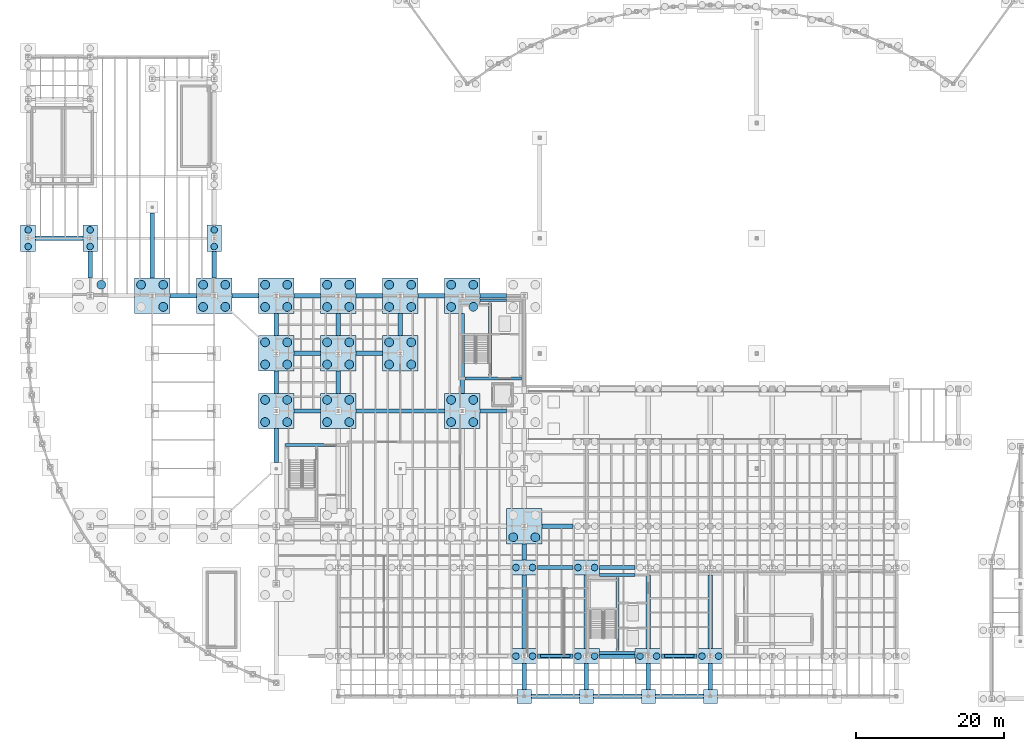
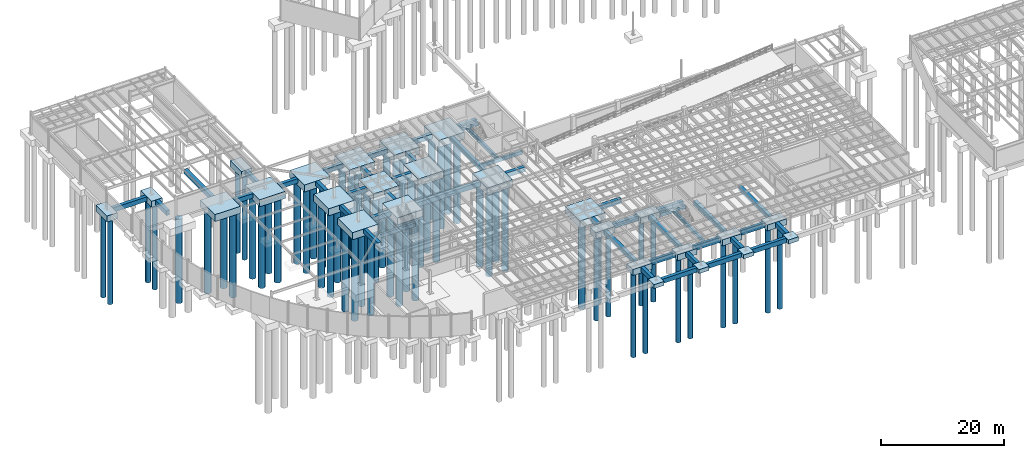
# One storey, part 2 of 41: 75 footings, 68 piles.
"""IFC4 building model written with IfcOpenShell, lengths in metres."""

from ifc_helpers import new_model, si_unit, direction, frame, origin, origin_2d, place, context, subcontext, project, spatial, rectangle, circle, extrude, material, material_profile, profile_set, type_object, element, save


model = new_model("IFC4")

# Units and contexts
model_context = context("Model", 3, precision=1e-05, world=origin(), true_north=direction((0.0, 1.0)))
body_context = subcontext(model_context, "Body", "Model", "MODEL_VIEW")
ifc_project = project(units=[si_unit("LENGTHUNIT", "METRE"), si_unit("AREAUNIT", "SQUARE_METRE"), si_unit("VOLUMEUNIT", "CUBIC_METRE"), si_unit("PLANEANGLEUNIT", "RADIAN"), si_unit("MASSUNIT", "GRAM", prefix="KILO")], contexts=[model_context])

# Site, building, storey
site_placement = place(None, origin())
site = spatial("IfcSite", under=ifc_project, at=site_placement, CompositionType="ELEMENT")
building_placement = place(site_placement, origin())
building = spatial("IfcBuilding", under=site, at=building_placement, Name="Selat Folded Stagehouse", CompositionType="ELEMENT")
storey_placement = place(building_placement, frame((0.0, 0.0, -4.5)))
storey = spatial("IfcBuildingStorey", under=building, at=storey_placement, Name="B1", CompositionType="ELEMENT", Elevation=-4.5)

# Footings
ifc_material = material(Name="Concrete C40/50", Category="concrete")
ifc_material_profile_1 = material_profile(ifc_material, rectangle(XDim=0.60009765625, YDim=0.89990234375, at=origin_2d()), Name="RC 900x600")
ifc_profile_set_1 = profile_set([ifc_material_profile_1], Name="Concrete C40/50")
footing_type_1 = type_object("IfcFootingType", Name="FTG-GB-600x900", PredefinedType="FOOTING_BEAM", material=ifc_profile_set_1)
for number, where, z_axis, x_axis, name in (
    (1, (68.14990234375, 0.35009765625, -0.449951171875), (1.0, 0.0, 0.0), (0.0, 1.0, 0.0), "Ground tie beam GB-X-007"),
    (2, (76.550048828125, 0.35009765625, -0.449951171875), (1.0, 0.0, 0.0), (0.0, 1.0, 0.0), "Ground tie beam GB-X-008"),
    (3, (84.949951171875, 0.35009765625, -0.449951171875), (1.0, 0.0, 0.0), (0.0, 1.0, 0.0), "Ground tie beam GB-X-009"),
):
    element("IfcFooting", number, at=place(storey_placement, frame(where, z_axis=z_axis, x_axis=x_axis)), inside=storey, type_object=footing_type_1, Name=name, PredefinedType="FOOTING_BEAM", context=body_context, shape_type="SweptSolid", body=[
        extrude(rectangle(XDim=0.60009765625, YDim=0.89990234375, at=origin_2d()), origin(), (0.0, 0.0, 1.0), 6.5),
    ])
for number, where, z_axis, x_axis, name in (
    (4, (69.0, 5.800048828125, -0.449951171875), (1.0, 0.0, 0.0), (0.0, 1.0, 0.0), "Ground tie beam GB-X-016"),
    (5, (77.39990234375, 5.800048828125, -0.449951171875), (1.0, 0.0, 0.0), (0.0, 1.0, 0.0), "Ground tie beam GB-X-017"),
    (6, (85.800048828125, 5.800048828125, -0.449951171875), (1.0, 0.0, 0.0), (0.0, 1.0, 0.0), "Ground tie beam GB-X-018"),
    (7, (69.0, 17.800048828125, -0.449951171875), (1.0, 0.0, 0.0), (0.0, 1.0, 0.0), "Ground tie beam GB-X-026"),
    (8, (77.39990234375, 17.800048828125, -0.449951171875), (1.0, 0.0, 0.0), (0.0, 1.0, 0.0), "Ground tie beam GB-X-027"),
):
    element("IfcFooting", number, at=place(storey_placement, frame(where, z_axis=z_axis, x_axis=x_axis)), inside=storey, type_object=footing_type_1, Name=name, PredefinedType="FOOTING_BEAM", context=body_context, shape_type="SweptSolid", body=[
        extrude(rectangle(XDim=0.60009765625, YDim=0.89990234375, at=origin_2d()), origin(), (0.0, 0.0, 1.0), 4.800048828125),
    ])
footing_1_placement = place(storey_placement, frame((69.60009765625, 23.39990234375, -0.449951171875), z_axis=(1.0, 0.0, 0.0), x_axis=(0.0, 1.0, 0.0)))
element("IfcFooting", 9, at=footing_1_placement, inside=storey, type_object=footing_type_1, Name="Ground tie beam GB-X-039", PredefinedType="FOOTING_BEAM", context=body_context, shape_type="SweptSolid", body=[
    extrude(rectangle(XDim=0.60009765625, YDim=0.89990234375, at=origin_2d()), origin(), (0.0, 0.0, 1.0), 4.199951171875),
])
footing_2_placement = place(storey_placement, frame((36.0, 39.0, -0.449951171875), z_axis=(1.0, 0.0, 0.0), x_axis=(0.0, 1.0, 0.0)))
element("IfcFooting", 10, at=footing_2_placement, inside=storey, type_object=footing_type_1, Name="Ground tie beam GB-X-055", PredefinedType="FOOTING_BEAM", context=body_context, shape_type="SweptSolid", body=[
    extrude(rectangle(XDim=0.60009765625, YDim=0.89990234375, at=origin_2d()), origin(), (0.0, 0.0, 1.0), 3.60009765625),
])
footing_3_placement = place(storey_placement, frame((44.39990234375, 39.0, -0.449951171875), z_axis=(1.0, 0.0, 0.0), x_axis=(0.0, 1.0, 0.0)))
element("IfcFooting", 11, at=footing_3_placement, inside=storey, type_object=footing_type_1, Name="Ground tie beam GB-X-056", PredefinedType="FOOTING_BEAM", context=body_context, shape_type="SweptSolid", body=[
    extrude(rectangle(XDim=0.60009765625, YDim=0.89990234375, at=origin_2d()), origin(), (0.0, 0.0, 1.0), 12.0),
])
for number, where, z_axis, x_axis, name in (
    (12, (61.199951171875, 39.0, -0.449951171875), (1.0, 0.0, 0.0), (0.0, 1.0, 0.0), "Ground tie beam GB-X-057"),
    (13, (36.0, 46.800048828125, -0.449951171875), (1.0, 0.0, 0.0), (0.0, 1.0, 0.0), "Ground tie beam GB-X-062"),
    (14, (44.39990234375, 46.800048828125, -0.449951171875), (1.0, 0.0, 0.0), (0.0, 1.0, 0.0), "Ground tie beam GB-X-063"),
    (15, (19.199951171875, 54.60009765625, -0.449951171875), (1.0, 0.0, 0.0), (0.0, 1.0, 0.0), "Ground tie beam GB-X-066"),
):
    element("IfcFooting", number, at=place(storey_placement, frame(where, z_axis=z_axis, x_axis=x_axis)), inside=storey, type_object=footing_type_1, Name=name, PredefinedType="FOOTING_BEAM", context=body_context, shape_type="SweptSolid", body=[
        extrude(rectangle(XDim=0.60009765625, YDim=0.89990234375, at=origin_2d()), origin(), (0.0, 0.0, 1.0), 3.60009765625),
    ])
footing_4_placement = place(storey_placement, frame((27.60009765625, 54.60009765625, -0.449951171875), z_axis=(1.0, 0.0, 0.0), x_axis=(0.0, 1.0, 0.0)))
element("IfcFooting", 16, at=footing_4_placement, inside=storey, type_object=footing_type_1, Name="Ground tie beam GB-X-067", PredefinedType="FOOTING_BEAM", context=body_context, shape_type="SweptSolid", body=[
    extrude(rectangle(XDim=0.60009765625, YDim=0.89990234375, at=origin_2d()), origin(), (0.0, 0.0, 1.0), 3.599853515625),
])
for number, where, z_axis, x_axis, name in (
    (17, (36.0, 54.60009765625, -0.449951171875), (1.0, 0.0, 0.0), (0.0, 1.0, 0.0), "Ground tie beam GB-X-068"),
    (18, (44.39990234375, 54.60009765625, -0.449951171875), (1.0, 0.0, 0.0), (0.0, 1.0, 0.0), "Ground tie beam GB-X-069"),
):
    element("IfcFooting", number, at=place(storey_placement, frame(where, z_axis=z_axis, x_axis=x_axis)), inside=storey, type_object=footing_type_1, Name=name, PredefinedType="FOOTING_BEAM", context=body_context, shape_type="SweptSolid", body=[
        extrude(rectangle(XDim=0.60009765625, YDim=0.89990234375, at=origin_2d()), origin(), (0.0, 0.0, 1.0), 3.60009765625),
    ])
footing_5_placement = place(storey_placement, frame((52.800048828125, 54.60009765625, -0.449951171875), z_axis=(1.0, 0.0, 0.0), x_axis=(0.0, 1.0, 0.0)))
element("IfcFooting", 19, at=footing_5_placement, inside=storey, type_object=footing_type_1, Name="Ground tie beam GB-X-070", PredefinedType="FOOTING_BEAM", context=body_context, shape_type="SweptSolid", body=[
    extrude(rectangle(XDim=0.60009765625, YDim=0.89990234375, at=origin_2d()), origin(), (0.0, 0.0, 1.0), 3.599853515625),
])
footing_6_placement = place(storey_placement, frame((61.199951171875, 54.60009765625, -0.449951171875), z_axis=(1.0, 0.0, 0.0), x_axis=(0.0, 1.0, 0.0)))
element("IfcFooting", 20, at=footing_6_placement, inside=storey, type_object=footing_type_1, Name="Ground tie beam GB-X-071", PredefinedType="FOOTING_BEAM", context=body_context, shape_type="SweptSolid", body=[
    extrude(rectangle(XDim=0.60009765625, YDim=0.89990234375, at=origin_2d()), origin(), (0.0, 0.0, 1.0), 3.60009765625),
])
footing_7_placement = place(storey_placement, frame((1.0, 62.39990234375, -0.449951171875), z_axis=(1.0, 0.0, 0.0), x_axis=(0.0, 1.0, 0.0)))
element("IfcFooting", 21, at=footing_7_placement, inside=storey, type_object=footing_type_1, Name="Ground tie beam GB-X-072", PredefinedType="FOOTING_BEAM", context=body_context, shape_type="SweptSolid", body=[
    extrude(rectangle(XDim=0.60009765625, YDim=0.89990234375, at=origin_2d()), origin(), (0.0, 0.0, 1.0), 6.39990234375),
])
footing_8_placement = place(storey_placement, frame((8.39990234375, 57.0, -0.449951171875), z_axis=(0.0, 1.0, 0.0), x_axis=(-1.0, 0.0, 0.0)))
element("IfcFooting", 22, at=footing_8_placement, inside=storey, type_object=footing_type_1, Name="Ground tie beam GB-Y-082", PredefinedType="FOOTING_BEAM", context=body_context, shape_type="SweptSolid", body=[
    extrude(rectangle(XDim=0.60009765625, YDim=0.89990234375, at=origin_2d()), origin(), (0.0, 0.0, 1.0), 3.60009765625),
])
footing_9_placement = place(storey_placement, frame((16.800048828125, 57.0, -0.449951171875), z_axis=(0.0, 1.0, 0.0), x_axis=(-1.0, 0.0, 0.0)))
element("IfcFooting", 23, at=footing_9_placement, inside=storey, type_object=footing_type_1, Name="Ground tie beam GB-Y-084", PredefinedType="FOOTING_BEAM", context=body_context, shape_type="SweptSolid", body=[
    extrude(rectangle(XDim=0.60009765625, YDim=0.89990234375, at=origin_2d()), origin(), (0.0, 0.0, 1.0), 8.800048828125),
])
footing_10_placement = place(storey_placement, frame((25.199951171875, 57.0, -0.449951171875), z_axis=(0.0, 1.0, 0.0), x_axis=(-1.0, 0.0, 0.0)))
element("IfcFooting", 24, at=footing_10_placement, inside=storey, type_object=footing_type_1, Name="Ground tie beam GB-Y-085", PredefinedType="FOOTING_BEAM", context=body_context, shape_type="SweptSolid", body=[
    extrude(rectangle(XDim=0.60009765625, YDim=0.89990234375, at=origin_2d()), origin(), (0.0, 0.0, 1.0), 3.60009765625),
])
footing_11_placement = place(storey_placement, frame((33.60009765625, 32.0, -0.449951171875), z_axis=(0.0, 1.0, 0.0), x_axis=(-1.0, 0.0, 0.0)))
element("IfcFooting", 25, at=footing_11_placement, inside=storey, type_object=footing_type_1, Name="Ground tie beam GB-Y-091", PredefinedType="FOOTING_BEAM", context=body_context, shape_type="SweptSolid", body=[
    extrude(rectangle(XDim=0.60009765625, YDim=0.89990234375, at=origin_2d()), origin(), (0.0, 0.0, 1.0), 4.60009765625),
])
for number, where, z_axis, x_axis, name in (
    (26, (33.60009765625, 41.39990234375, -0.449951171875), (0.0, 1.0, 0.0), (-1.0, 0.0, 0.0), "Ground tie beam GB-Y-092"),
    (27, (33.60009765625, 49.199951171875, -0.449951171875), (0.0, 1.0, 0.0), (-1.0, 0.0, 0.0), "Ground tie beam GB-Y-093"),
    (28, (42.0, 41.39990234375, -0.449951171875), (0.0, 1.0, 0.0), (-1.0, 0.0, 0.0), "Ground tie beam GB-Y-098"),
    (29, (42.0, 49.199951171875, -0.449951171875), (0.0, 1.0, 0.0), (-1.0, 0.0, 0.0), "Ground tie beam GB-Y-099"),
    (30, (50.39990234375, 49.199951171875, -0.449951171875), (0.0, 1.0, 0.0), (-1.0, 0.0, 0.0), "Ground tie beam GB-Y-104"),
):
    element("IfcFooting", number, at=place(storey_placement, frame(where, z_axis=z_axis, x_axis=x_axis)), inside=storey, type_object=footing_type_1, Name=name, PredefinedType="FOOTING_BEAM", context=body_context, shape_type="SweptSolid", body=[
        extrude(rectangle(XDim=0.60009765625, YDim=0.89990234375, at=origin_2d()), origin(), (0.0, 0.0, 1.0), 3.0),
    ])
footing_12_placement = place(storey_placement, frame((58.800048828125, 41.39990234375, -0.449951171875), z_axis=(0.0, 1.0, 0.0), x_axis=(-1.0, 0.0, 0.0)))
element("IfcFooting", 31, at=footing_12_placement, inside=storey, type_object=footing_type_1, Name="Ground tie beam GB-Y-109", PredefinedType="FOOTING_BEAM", context=body_context, shape_type="SweptSolid", body=[
    extrude(rectangle(XDim=0.60009765625, YDim=0.89990234375, at=origin_2d()), origin(), (0.0, 0.0, 1.0), 10.800048828125),
])
footing_13_placement = place(storey_placement, frame((67.199951171875, 1.300048828125, -0.449951171875), z_axis=(0.0, 1.0, 0.0), x_axis=(-1.0, 0.0, 0.0)))
element("IfcFooting", 32, at=footing_13_placement, inside=storey, type_object=footing_type_1, Name="Ground tie beam GB-Y-110", PredefinedType="FOOTING_BEAM", context=body_context, shape_type="SweptSolid", body=[
    extrude(rectangle(XDim=0.60009765625, YDim=0.89990234375, at=origin_2d()), origin(), (0.0, 0.0, 1.0), 3.5),
])
footing_14_placement = place(storey_placement, frame((67.199951171875, 6.800048828125, -0.449951171875), z_axis=(0.0, 1.0, 0.0), x_axis=(-1.0, 0.0, 0.0)))
element("IfcFooting", 33, at=footing_14_placement, inside=storey, type_object=footing_type_1, Name="Ground tie beam GB-Y-111", PredefinedType="FOOTING_BEAM", context=body_context, shape_type="SweptSolid", body=[
    extrude(rectangle(XDim=0.60009765625, YDim=0.89990234375, at=origin_2d()), origin(), (0.0, 0.0, 1.0), 10.0),
])
footing_15_placement = place(storey_placement, frame((67.199951171875, 18.800048828125, -0.449951171875), z_axis=(0.0, 1.0, 0.0), x_axis=(-1.0, 0.0, 0.0)))
element("IfcFooting", 34, at=footing_15_placement, inside=storey, type_object=footing_type_1, Name="Ground tie beam GB-Y-112", PredefinedType="FOOTING_BEAM", context=body_context, shape_type="SweptSolid", body=[
    extrude(rectangle(XDim=0.60009765625, YDim=0.89990234375, at=origin_2d()), origin(), (0.0, 0.0, 1.0), 2.199951171875),
])
footing_16_placement = place(storey_placement, frame((75.60009765625, 1.300048828125, -0.449951171875), z_axis=(0.0, 1.0, 0.0), x_axis=(-1.0, 0.0, 0.0)))
element("IfcFooting", 35, at=footing_16_placement, inside=storey, type_object=footing_type_1, Name="Ground tie beam GB-Y-117", PredefinedType="FOOTING_BEAM", context=body_context, shape_type="SweptSolid", body=[
    extrude(rectangle(XDim=0.60009765625, YDim=0.89990234375, at=origin_2d()), origin(), (0.0, 0.0, 1.0), 3.5),
])
footing_17_placement = place(storey_placement, frame((75.60009765625, 6.800048828125, -0.449951171875), z_axis=(0.0, 1.0, 0.0), x_axis=(-1.0, 0.0, 0.0)))
element("IfcFooting", 36, at=footing_17_placement, inside=storey, type_object=footing_type_1, Name="Ground tie beam GB-Y-118", PredefinedType="FOOTING_BEAM", context=body_context, shape_type="SweptSolid", body=[
    extrude(rectangle(XDim=0.60009765625, YDim=0.89990234375, at=origin_2d()), origin(), (0.0, 0.0, 1.0), 10.0),
])
footing_18_placement = place(storey_placement, frame((84.0, 1.300048828125, -0.449951171875), z_axis=(0.0, 1.0, 0.0), x_axis=(-1.0, 0.0, 0.0)))
element("IfcFooting", 37, at=footing_18_placement, inside=storey, type_object=footing_type_1, Name="Ground tie beam GB-Y-122", PredefinedType="FOOTING_BEAM", context=body_context, shape_type="SweptSolid", body=[
    extrude(rectangle(XDim=0.60009765625, YDim=0.89990234375, at=origin_2d()), origin(), (0.0, 0.0, 1.0), 3.5),
])
footing_19_placement = place(storey_placement, frame((84.0, 6.800048828125, -0.449951171875), z_axis=(0.0, 1.0, 0.0), x_axis=(-1.0, 0.0, 0.0)))
element("IfcFooting", 38, at=footing_19_placement, inside=storey, type_object=footing_type_1, Name="Ground tie beam GB-Y-123", PredefinedType="FOOTING_BEAM", context=body_context, shape_type="SweptSolid", body=[
    extrude(rectangle(XDim=0.60009765625, YDim=0.89990234375, at=origin_2d()), origin(), (0.0, 0.0, 1.0), 10.0),
])
footing_20_placement = place(storey_placement, frame((92.39990234375, 1.300048828125, -0.449951171875), z_axis=(0.0, 1.0, 0.0), x_axis=(-1.0, 0.0, 0.0)))
element("IfcFooting", 39, at=footing_20_placement, inside=storey, type_object=footing_type_1, Name="Ground tie beam GB-Y-127", PredefinedType="FOOTING_BEAM", context=body_context, shape_type="SweptSolid", body=[
    extrude(rectangle(XDim=0.60009765625, YDim=0.89990234375, at=origin_2d()), origin(), (0.0, 0.0, 1.0), 3.5),
])
footing_21_placement = place(storey_placement, frame((92.39990234375, 6.800048828125, -0.449951171875), z_axis=(0.0, 1.0, 0.0), x_axis=(-1.0, 0.0, 0.0)))
element("IfcFooting", 40, at=footing_21_placement, inside=storey, type_object=footing_type_1, Name="Ground tie beam GB-Y-128", PredefinedType="FOOTING_BEAM", context=body_context, shape_type="SweptSolid", body=[
    extrude(rectangle(XDim=0.60009765625, YDim=0.89990234375, at=origin_2d()), origin(), (0.0, 0.0, 1.0), 10.0),
])
footing_type_2 = type_object("IfcFootingType", Name="FTG-PAD-1900x1900x800", PredefinedType="PAD_FOOTING", material=ifc_material)
for number, where, z_axis, x_axis, name in (
    (41, (67.199951171875, 0.35009765625, -0.7998046875), (0.0, 0.0, 1.0), (1.0, 0.0, 0.0), "Foundation STK-COLPOST-67"),
    (42, (75.60009765625, 0.35009765625, -0.7998046875), (0.0, 0.0, 1.0), (1.0, 0.0, 0.0), "Foundation STK-COLPOST-75"),
    (43, (84.0, 0.35009765625, -0.7998046875), (0.0, 0.0, 1.0), (1.0, 0.0, 0.0), "Foundation STK-COLPOST-84"),
    (44, (92.39990234375, 0.35009765625, -0.7998046875), (0.0, 0.0, 1.0), (1.0, 0.0, 0.0), "Foundation STK-COLPOST-92"),
):
    element("IfcFooting", number, at=place(storey_placement, frame(where, z_axis=z_axis, x_axis=x_axis)), inside=storey, type_object=footing_type_2, Name=name, PredefinedType="PAD_FOOTING", context=body_context, shape_type="SweptSolid", body=[
        extrude(rectangle(XDim=1.89990234375, YDim=1.89990234375, at=origin_2d()), origin(), (0.0, 0.0, 1.0), 0.800048828125),
    ])
footing_type_3 = type_object("IfcFootingType", Name="FTG-PC-2000x3600x1200", PredefinedType="PILE_CAP", material=ifc_material)
for number, where, z_axis, x_axis, name in (
    (45, (0.0, 62.39990234375, -1.2001953125), (0.0, 0.0, 1.0), (1.0, 0.0, 0.0), "Foundation STK-V4-01"),
    (46, (8.39990234375, 62.39990234375, -1.2001953125), (0.0, 0.0, 1.0), (1.0, 0.0, 0.0), "Foundation STK-V4-05"),
    (47, (25.199951171875, 62.39990234375, -1.2001953125), (0.0, 0.0, 1.0), (1.0, 0.0, 0.0), "Foundation STK-V4-10"),
):
    element("IfcFooting", number, at=place(storey_placement, frame(where, z_axis=z_axis, x_axis=x_axis)), inside=storey, type_object=footing_type_3, Name=name, PredefinedType="PILE_CAP", context=body_context, shape_type="SweptSolid", body=[
        extrude(rectangle(XDim=2.0, YDim=3.60009765625, at=origin_2d()), origin(), (0.0, 0.0, 1.0), 1.199951171875),
    ])
footing_type_4 = type_object("IfcFootingType", Name="FTG-PC-3600x2000x1200", PredefinedType="PILE_CAP", material=ifc_material)
for number, where, z_axis, x_axis, name in (
    (48, (67.199951171875, 5.800048828125, -1.2001953125), (0.0, 0.0, 1.0), (1.0, 0.0, 0.0), "Foundation STK-V5-67-58"),
    (49, (67.199951171875, 17.800048828125, -1.2001953125), (0.0, 0.0, 1.0), (1.0, 0.0, 0.0), "Foundation STK-V5-67-178"),
    (50, (75.60009765625, 5.800048828125, -1.2001953125), (0.0, 0.0, 1.0), (1.0, 0.0, 0.0), "Foundation STK-V5-75-58"),
    (51, (75.60009765625, 17.800048828125, -1.2001953125), (0.0, 0.0, 1.0), (1.0, 0.0, 0.0), "Foundation STK-V5-75-178"),
    (52, (84.0, 5.800048828125, -1.2001953125), (0.0, 0.0, 1.0), (1.0, 0.0, 0.0), "Foundation STK-V5-84-58"),
    (53, (92.39990234375, 5.800048828125, -1.2001953125), (0.0, 0.0, 1.0), (1.0, 0.0, 0.0), "Foundation STK-V5-92-58"),
):
    element("IfcFooting", number, at=place(storey_placement, frame(where, z_axis=z_axis, x_axis=x_axis)), inside=storey, type_object=footing_type_4, Name=name, PredefinedType="PILE_CAP", context=body_context, shape_type="SweptSolid", body=[
        extrude(rectangle(XDim=3.60009765625, YDim=2.0, at=origin_2d()), origin(), (0.0, 0.0, 1.0), 1.199951171875),
    ])
footing_type_5 = type_object("IfcFootingType", Name="FTG-PC-4800x4800x1400", PredefinedType="PILE_CAP", material=ifc_material)
for number, where, z_axis, x_axis, name in (
    (54, (16.800048828125, 54.60009765625, -1.39990234375), (0.0, 0.0, 1.0), (1.0, 0.0, 0.0), "Foundation STK-V2-04"),
    (55, (25.199951171875, 54.60009765625, -1.39990234375), (0.0, 0.0, 1.0), (1.0, 0.0, 0.0), "Foundation STK-V2-05"),
    (56, (33.60009765625, 39.0, -1.39990234375), (0.0, 0.0, 1.0), (1.0, 0.0, 0.0), "Foundation STK-V2-08"),
    (57, (33.60009765625, 46.800048828125, -1.39990234375), (0.0, 0.0, 1.0), (1.0, 0.0, 0.0), "Foundation STK-V2-09"),
    (58, (33.60009765625, 54.60009765625, -1.39990234375), (0.0, 0.0, 1.0), (1.0, 0.0, 0.0), "Foundation STK-V2-10"),
    (59, (42.0, 39.0, -1.39990234375), (0.0, 0.0, 1.0), (1.0, 0.0, 0.0), "Foundation STK-V2-12"),
    (60, (42.0, 46.800048828125, -1.39990234375), (0.0, 0.0, 1.0), (1.0, 0.0, 0.0), "Foundation STK-V2-13"),
    (61, (42.0, 54.60009765625, -1.39990234375), (0.0, 0.0, 1.0), (1.0, 0.0, 0.0), "Foundation STK-V2-14"),
    (62, (50.39990234375, 46.800048828125, -1.39990234375), (0.0, 0.0, 1.0), (1.0, 0.0, 0.0), "Foundation STK-V2-16"),
    (63, (50.39990234375, 54.60009765625, -1.39990234375), (0.0, 0.0, 1.0), (1.0, 0.0, 0.0), "Foundation STK-V2-17"),
    (64, (58.800048828125, 39.0, -1.39990234375), (0.0, 0.0, 1.0), (1.0, 0.0, 0.0), "Foundation STK-V2-19"),
    (65, (58.800048828125, 54.60009765625, -1.39990234375), (0.0, 0.0, 1.0), (1.0, 0.0, 0.0), "Foundation STK-V2-20"),
    (66, (67.199951171875, 23.39990234375, -1.39990234375), (0.0, 0.0, 1.0), (1.0, 0.0, 0.0), "Foundation STK-V2-21"),
):
    element("IfcFooting", number, at=place(storey_placement, frame(where, z_axis=z_axis, x_axis=x_axis)), inside=storey, type_object=footing_type_5, Name=name, PredefinedType="PILE_CAP", context=body_context, shape_type="SweptSolid", body=[
        extrude(rectangle(XDim=4.800048828125, YDim=4.800048828125, at=origin_2d()), origin(), (0.0, 0.0, 1.0), 1.39990234375),
    ])
ifc_material_profile_2 = material_profile(ifc_material, rectangle(XDim=0.39990234375, YDim=0.699951171875, at=origin_2d()), Name="RC 700x400")
ifc_profile_set_2 = profile_set([ifc_material_profile_2], Name="Concrete C40/50")
footing_type_6 = type_object("IfcFootingType", Name="FTG-SF-700x400", PredefinedType="STRIP_FOOTING", material=ifc_profile_set_2)
for number, where, z_axis, x_axis, name in (
    (67, (69.39990234375, 5.800048828125, -0.35009765625), (1.0, 0.0, 0.0), (0.0, 1.0, 0.0), "Perimeter strip footing SF-04"),
    (68, (86.199951171875, 5.800048828125, -0.35009765625), (1.0, 0.0, 0.0), (0.0, 1.0, 0.0), "Perimeter strip footing SF-05"),
):
    element("IfcFooting", number, at=place(storey_placement, frame(where, z_axis=z_axis, x_axis=x_axis)), inside=storey, type_object=footing_type_6, Name=name, PredefinedType="STRIP_FOOTING", context=body_context, shape_type="SweptSolid", body=[
        extrude(rectangle(XDim=0.39990234375, YDim=0.699951171875, at=origin_2d()), origin(), (0.0, 0.0, 1.0), 4.0),
    ])
footing_22_placement = place(storey_placement, frame((34.85009765625, 34.39990234375, -0.60009765625), z_axis=(1.0, 0.0, 0.0), x_axis=(0.0, 1.0, 0.0)))
element("IfcFooting", 69, at=footing_22_placement, inside=storey, type_object=footing_type_6, Name="Core wall strip footing CR-CR-1-N 2", PredefinedType="STRIP_FOOTING", context=body_context, shape_type="SweptSolid", body=[
    extrude(rectangle(XDim=0.39990234375, YDim=0.699951171875, at=origin_2d()), origin(), (0.0, 0.0, 1.0), 6.7998046875),
])
footing_23_placement = place(storey_placement, frame((59.14990234375, 43.39990234375, -0.60009765625), z_axis=(1.0, 0.0, 0.0), x_axis=(0.0, 1.0, 0.0)))
element("IfcFooting", 70, at=footing_23_placement, inside=storey, type_object=footing_type_6, Name="Core wall strip footing CR-CR-2-S 6", PredefinedType="STRIP_FOOTING", context=body_context, shape_type="SweptSolid", body=[
    extrude(rectangle(XDim=0.39990234375, YDim=0.699951171875, at=origin_2d()), origin(), (0.0, 0.0, 1.0), 7.7001953125),
])
footing_24_placement = place(storey_placement, frame((61.219970703125, 54.0, -0.60009765625), z_axis=(1.0, 0.0, 0.0), x_axis=(0.0, 1.0, 0.0)))
element("IfcFooting", 71, at=footing_24_placement, inside=storey, type_object=footing_type_6, Name="Core wall strip footing CR-CR-2-N 7", PredefinedType="STRIP_FOOTING", context=body_context, shape_type="SweptSolid", body=[
    extrude(rectangle(XDim=0.39990234375, YDim=0.699951171875, at=origin_2d()), origin(), (0.0, 0.0, 1.0), 3.56005859375),
])
footing_25_placement = place(storey_placement, frame((62.550048828125, 43.780029296875, -0.60009765625), z_axis=(0.0, 1.0, 0.0), x_axis=(-1.0, 0.0, 0.0)))
element("IfcFooting", 72, at=footing_25_placement, inside=storey, type_object=footing_type_6, Name="Core wall strip footing CR-CR-2-D 9", PredefinedType="STRIP_FOOTING", context=body_context, shape_type="SweptSolid", body=[
    extrude(rectangle(XDim=0.39990234375, YDim=0.699951171875, at=origin_2d()), origin(), (0.0, 0.0, 1.0), 9.840087890625),
])
for number, where, z_axis, x_axis, name in (
    (73, (77.419921875, 6.199951171875, -0.60009765625), (1.0, 0.0, 0.0), (0.0, 1.0, 0.0), "Core wall strip footing CR-CR-3-S 10"),
    (74, (77.419921875, 16.800048828125, -0.60009765625), (1.0, 0.0, 0.0), (0.0, 1.0, 0.0), "Core wall strip footing CR-CR-3-N 11"),
):
    element("IfcFooting", number, at=place(storey_placement, frame(where, z_axis=z_axis, x_axis=x_axis)), inside=storey, type_object=footing_type_6, Name=name, PredefinedType="STRIP_FOOTING", context=body_context, shape_type="SweptSolid", body=[
        extrude(rectangle(XDim=0.39990234375, YDim=0.699951171875, at=origin_2d()), origin(), (0.0, 0.0, 1.0), 4.760009765625),
    ])
footing_26_placement = place(storey_placement, frame((79.820068359375, 6.580078125, -0.60009765625), z_axis=(0.0, 1.0, 0.0), x_axis=(-1.0, 0.0, 0.0)))
element("IfcFooting", 75, at=footing_26_placement, inside=storey, type_object=footing_type_6, Name="Core wall strip footing CR-CR-3-D 12", PredefinedType="STRIP_FOOTING", context=body_context, shape_type="SweptSolid", body=[
    extrude(rectangle(XDim=0.39990234375, YDim=0.699951171875, at=origin_2d()), origin(), (0.0, 0.0, 1.0), 9.83984375),
])

# Piles
ifc_material_profile_3 = material_profile(ifc_material, circle(Radius=0.60009765625, at=origin_2d()), Name="PILE D1200")
ifc_profile_set_3 = profile_set([ifc_material_profile_3], Name="Concrete C40/50")
pile_type_1 = type_object("IfcPileType", Name="PILE-BORED-1200-B1", PredefinedType="BORED", material=ifc_profile_set_3)
for number, where, z_axis, x_axis, name in (
    (76, (9.89990234375, 56.10009765625, -1.300048828125), (0.0, 0.0, -1.0), (1.0, 0.0, 0.0), "Bored pile PIL-STK-V2-03-3"),
    (77, (18.300048828125, 53.10009765625, -1.300048828125), (0.0, 0.0, -1.0), (1.0, 0.0, 0.0), "Bored pile PIL-STK-V2-04-2"),
    (78, (18.300048828125, 56.10009765625, -1.300048828125), (0.0, 0.0, -1.0), (1.0, 0.0, 0.0), "Bored pile PIL-STK-V2-04-3"),
    (79, (15.300048828125, 56.10009765625, -1.300048828125), (0.0, 0.0, -1.0), (1.0, 0.0, 0.0), "Bored pile PIL-STK-V2-04-4"),
    (80, (23.699951171875, 53.10009765625, -1.300048828125), (0.0, 0.0, -1.0), (1.0, 0.0, 0.0), "Bored pile PIL-STK-V2-05-1"),
    (81, (26.699951171875, 53.10009765625, -1.300048828125), (0.0, 0.0, -1.0), (1.0, 0.0, 0.0), "Bored pile PIL-STK-V2-05-2"),
    (82, (26.699951171875, 56.10009765625, -1.300048828125), (0.0, 0.0, -1.0), (1.0, 0.0, 0.0), "Bored pile PIL-STK-V2-05-3"),
    (83, (23.699951171875, 56.10009765625, -1.300048828125), (0.0, 0.0, -1.0), (1.0, 0.0, 0.0), "Bored pile PIL-STK-V2-05-4"),
    (84, (32.10009765625, 37.5, -1.300048828125), (0.0, 0.0, -1.0), (1.0, 0.0, 0.0), "Bored pile PIL-STK-V2-08-1"),
    (85, (35.10009765625, 37.5, -1.300048828125), (0.0, 0.0, -1.0), (1.0, 0.0, 0.0), "Bored pile PIL-STK-V2-08-2"),
    (86, (35.10009765625, 40.5, -1.300048828125), (0.0, 0.0, -1.0), (1.0, 0.0, 0.0), "Bored pile PIL-STK-V2-08-3"),
    (87, (32.10009765625, 40.5, -1.300048828125), (0.0, 0.0, -1.0), (1.0, 0.0, 0.0), "Bored pile PIL-STK-V2-08-4"),
    (88, (32.10009765625, 45.300048828125, -1.300048828125), (0.0, 0.0, -1.0), (1.0, 0.0, 0.0), "Bored pile PIL-STK-V2-09-1"),
    (89, (35.10009765625, 45.300048828125, -1.300048828125), (0.0, 0.0, -1.0), (1.0, 0.0, 0.0), "Bored pile PIL-STK-V2-09-2"),
    (90, (35.10009765625, 48.300048828125, -1.300048828125), (0.0, 0.0, -1.0), (1.0, 0.0, 0.0), "Bored pile PIL-STK-V2-09-3"),
    (91, (32.10009765625, 48.300048828125, -1.300048828125), (0.0, 0.0, -1.0), (1.0, 0.0, 0.0), "Bored pile PIL-STK-V2-09-4"),
    (92, (32.10009765625, 53.10009765625, -1.300048828125), (0.0, 0.0, -1.0), (1.0, 0.0, 0.0), "Bored pile PIL-STK-V2-10-1"),
    (93, (35.10009765625, 53.10009765625, -1.300048828125), (0.0, 0.0, -1.0), (1.0, 0.0, 0.0), "Bored pile PIL-STK-V2-10-2"),
    (94, (35.10009765625, 56.10009765625, -1.300048828125), (0.0, 0.0, -1.0), (1.0, 0.0, 0.0), "Bored pile PIL-STK-V2-10-3"),
    (95, (32.10009765625, 56.10009765625, -1.300048828125), (0.0, 0.0, -1.0), (1.0, 0.0, 0.0), "Bored pile PIL-STK-V2-10-4"),
    (96, (40.5, 37.5, -1.300048828125), (0.0, 0.0, -1.0), (1.0, 0.0, 0.0), "Bored pile PIL-STK-V2-12-1"),
    (97, (43.5, 37.5, -1.300048828125), (0.0, 0.0, -1.0), (1.0, 0.0, 0.0), "Bored pile PIL-STK-V2-12-2"),
    (98, (43.5, 40.5, -1.300048828125), (0.0, 0.0, -1.0), (1.0, 0.0, 0.0), "Bored pile PIL-STK-V2-12-3"),
    (99, (40.5, 40.5, -1.300048828125), (0.0, 0.0, -1.0), (1.0, 0.0, 0.0), "Bored pile PIL-STK-V2-12-4"),
    (100, (40.5, 45.300048828125, -1.300048828125), (0.0, 0.0, -1.0), (1.0, 0.0, 0.0), "Bored pile PIL-STK-V2-13-1"),
    (101, (43.5, 45.300048828125, -1.300048828125), (0.0, 0.0, -1.0), (1.0, 0.0, 0.0), "Bored pile PIL-STK-V2-13-2"),
    (102, (43.5, 48.300048828125, -1.300048828125), (0.0, 0.0, -1.0), (1.0, 0.0, 0.0), "Bored pile PIL-STK-V2-13-3"),
    (103, (40.5, 48.300048828125, -1.300048828125), (0.0, 0.0, -1.0), (1.0, 0.0, 0.0), "Bored pile PIL-STK-V2-13-4"),
    (104, (40.5, 53.10009765625, -1.300048828125), (0.0, 0.0, -1.0), (1.0, 0.0, 0.0), "Bored pile PIL-STK-V2-14-1"),
    (105, (43.5, 53.10009765625, -1.300048828125), (0.0, 0.0, -1.0), (1.0, 0.0, 0.0), "Bored pile PIL-STK-V2-14-2"),
    (106, (43.5, 56.10009765625, -1.300048828125), (0.0, 0.0, -1.0), (1.0, 0.0, 0.0), "Bored pile PIL-STK-V2-14-3"),
    (107, (40.5, 56.10009765625, -1.300048828125), (0.0, 0.0, -1.0), (1.0, 0.0, 0.0), "Bored pile PIL-STK-V2-14-4"),
    (108, (48.89990234375, 45.300048828125, -1.300048828125), (0.0, 0.0, -1.0), (1.0, 0.0, 0.0), "Bored pile PIL-STK-V2-16-1"),
    (109, (51.89990234375, 45.300048828125, -1.300048828125), (0.0, 0.0, -1.0), (1.0, 0.0, 0.0), "Bored pile PIL-STK-V2-16-2"),
    (110, (51.89990234375, 48.300048828125, -1.300048828125), (0.0, 0.0, -1.0), (1.0, 0.0, 0.0), "Bored pile PIL-STK-V2-16-3"),
    (111, (48.89990234375, 48.300048828125, -1.300048828125), (0.0, 0.0, -1.0), (1.0, 0.0, 0.0), "Bored pile PIL-STK-V2-16-4"),
    (112, (48.89990234375, 53.10009765625, -1.300048828125), (0.0, 0.0, -1.0), (1.0, 0.0, 0.0), "Bored pile PIL-STK-V2-17-1"),
    (113, (51.89990234375, 53.10009765625, -1.300048828125), (0.0, 0.0, -1.0), (1.0, 0.0, 0.0), "Bored pile PIL-STK-V2-17-2"),
    (114, (51.89990234375, 56.10009765625, -1.300048828125), (0.0, 0.0, -1.0), (1.0, 0.0, 0.0), "Bored pile PIL-STK-V2-17-3"),
    (115, (48.89990234375, 56.10009765625, -1.300048828125), (0.0, 0.0, -1.0), (1.0, 0.0, 0.0), "Bored pile PIL-STK-V2-17-4"),
    (116, (57.300048828125, 37.5, -1.300048828125), (0.0, 0.0, -1.0), (1.0, 0.0, 0.0), "Bored pile PIL-STK-V2-19-1"),
    (117, (60.300048828125, 37.5, -1.300048828125), (0.0, 0.0, -1.0), (1.0, 0.0, 0.0), "Bored pile PIL-STK-V2-19-2"),
    (118, (60.300048828125, 40.5, -1.300048828125), (0.0, 0.0, -1.0), (1.0, 0.0, 0.0), "Bored pile PIL-STK-V2-19-3"),
    (119, (57.300048828125, 40.5, -1.300048828125), (0.0, 0.0, -1.0), (1.0, 0.0, 0.0), "Bored pile PIL-STK-V2-19-4"),
    (120, (57.300048828125, 53.10009765625, -1.300048828125), (0.0, 0.0, -1.0), (1.0, 0.0, 0.0), "Bored pile PIL-STK-V2-20-1"),
    (121, (60.300048828125, 53.10009765625, -1.300048828125), (0.0, 0.0, -1.0), (1.0, 0.0, 0.0), "Bored pile PIL-STK-V2-20-2"),
    (122, (60.300048828125, 56.10009765625, -1.300048828125), (0.0, 0.0, -1.0), (1.0, 0.0, 0.0), "Bored pile PIL-STK-V2-20-3"),
    (123, (57.300048828125, 56.10009765625, -1.300048828125), (0.0, 0.0, -1.0), (1.0, 0.0, 0.0), "Bored pile PIL-STK-V2-20-4"),
    (124, (65.699951171875, 21.89990234375, -1.300048828125), (0.0, 0.0, -1.0), (1.0, 0.0, 0.0), "Bored pile PIL-STK-V2-21-1"),
    (125, (68.699951171875, 21.89990234375, -1.300048828125), (0.0, 0.0, -1.0), (1.0, 0.0, 0.0), "Bored pile PIL-STK-V2-21-2"),
):
    element("IfcPile", number, at=place(storey_placement, frame(where, z_axis=z_axis, x_axis=x_axis)), inside=storey, type_object=pile_type_1, Name=name, PredefinedType="BORED", context=body_context, shape_type="SweptSolid", body=[
        extrude(circle(Radius=0.60009765625, at=origin_2d()), origin(), (0.0, 0.0, 1.0), 16.699951171875),
    ])
ifc_material_profile_4 = material_profile(ifc_material, circle(Radius=0.449951171875, at=origin_2d()), Name="PILE D900")
ifc_profile_set_4 = profile_set([ifc_material_profile_4], Name="Concrete C40/50")
pile_type_2 = type_object("IfcPileType", Name="PILE-BORED-900-B1", PredefinedType="BORED", material=ifc_profile_set_4)
for number, where, z_axis, x_axis, name in (
    (126, (66.074951171875, 5.800048828125, -1.10009765625), (0.0, 0.0, -1.0), (1.0, 0.0, 0.0), "Bored pile PIL-STK-V5-67-58-1"),
    (127, (68.324951171875, 5.800048828125, -1.10009765625), (0.0, 0.0, -1.0), (1.0, 0.0, 0.0), "Bored pile PIL-STK-V5-67-58-2"),
    (128, (66.074951171875, 17.800048828125, -1.10009765625), (0.0, 0.0, -1.0), (1.0, 0.0, 0.0), "Bored pile PIL-STK-V5-67-178-1"),
    (129, (68.324951171875, 17.800048828125, -1.10009765625), (0.0, 0.0, -1.0), (1.0, 0.0, 0.0), "Bored pile PIL-STK-V5-67-178-2"),
    (130, (74.47509765625, 5.800048828125, -1.10009765625), (0.0, 0.0, -1.0), (1.0, 0.0, 0.0), "Bored pile PIL-STK-V5-75-58-1"),
    (131, (76.72509765625, 5.800048828125, -1.10009765625), (0.0, 0.0, -1.0), (1.0, 0.0, 0.0), "Bored pile PIL-STK-V5-75-58-2"),
    (132, (74.47509765625, 17.800048828125, -1.10009765625), (0.0, 0.0, -1.0), (1.0, 0.0, 0.0), "Bored pile PIL-STK-V5-75-178-1"),
    (133, (76.72509765625, 17.800048828125, -1.10009765625), (0.0, 0.0, -1.0), (1.0, 0.0, 0.0), "Bored pile PIL-STK-V5-75-178-2"),
    (134, (82.875, 5.800048828125, -1.10009765625), (0.0, 0.0, -1.0), (1.0, 0.0, 0.0), "Bored pile PIL-STK-V5-84-58-1"),
    (135, (85.125, 5.800048828125, -1.10009765625), (0.0, 0.0, -1.0), (1.0, 0.0, 0.0), "Bored pile PIL-STK-V5-84-58-2"),
    (136, (91.27490234375, 5.800048828125, -1.10009765625), (0.0, 0.0, -1.0), (1.0, 0.0, 0.0), "Bored pile PIL-STK-V5-92-58-1"),
    (137, (93.52490234375, 5.800048828125, -1.10009765625), (0.0, 0.0, -1.0), (1.0, 0.0, 0.0), "Bored pile PIL-STK-V5-92-58-2"),
    (138, (0.0, 61.27490234375, -1.10009765625), (0.0, 0.0, -1.0), (1.0, 0.0, 0.0), "Bored pile PIL-STK-V4-01-1"),
    (139, (0.0, 63.52490234375, -1.10009765625), (0.0, 0.0, -1.0), (1.0, 0.0, 0.0), "Bored pile PIL-STK-V4-01-2"),
    (140, (8.39990234375, 61.27490234375, -1.10009765625), (0.0, 0.0, -1.0), (1.0, 0.0, 0.0), "Bored pile PIL-STK-V4-05-1"),
    (141, (8.39990234375, 63.52490234375, -1.10009765625), (0.0, 0.0, -1.0), (1.0, 0.0, 0.0), "Bored pile PIL-STK-V4-05-2"),
    (142, (25.199951171875, 61.27490234375, -1.10009765625), (0.0, 0.0, -1.0), (1.0, 0.0, 0.0), "Bored pile PIL-STK-V4-10-1"),
    (143, (25.199951171875, 63.52490234375, -1.10009765625), (0.0, 0.0, -1.0), (1.0, 0.0, 0.0), "Bored pile PIL-STK-V4-10-2"),
):
    element("IfcPile", number, at=place(storey_placement, frame(where, z_axis=z_axis, x_axis=x_axis)), inside=storey, type_object=pile_type_2, Name=name, PredefinedType="BORED", context=body_context, shape_type="SweptSolid", body=[
        extrude(circle(Radius=0.449951171875, at=origin_2d()), origin(), (0.0, 0.0, 1.0), 16.89990234375),
    ])

save(model, "model.ifc")
